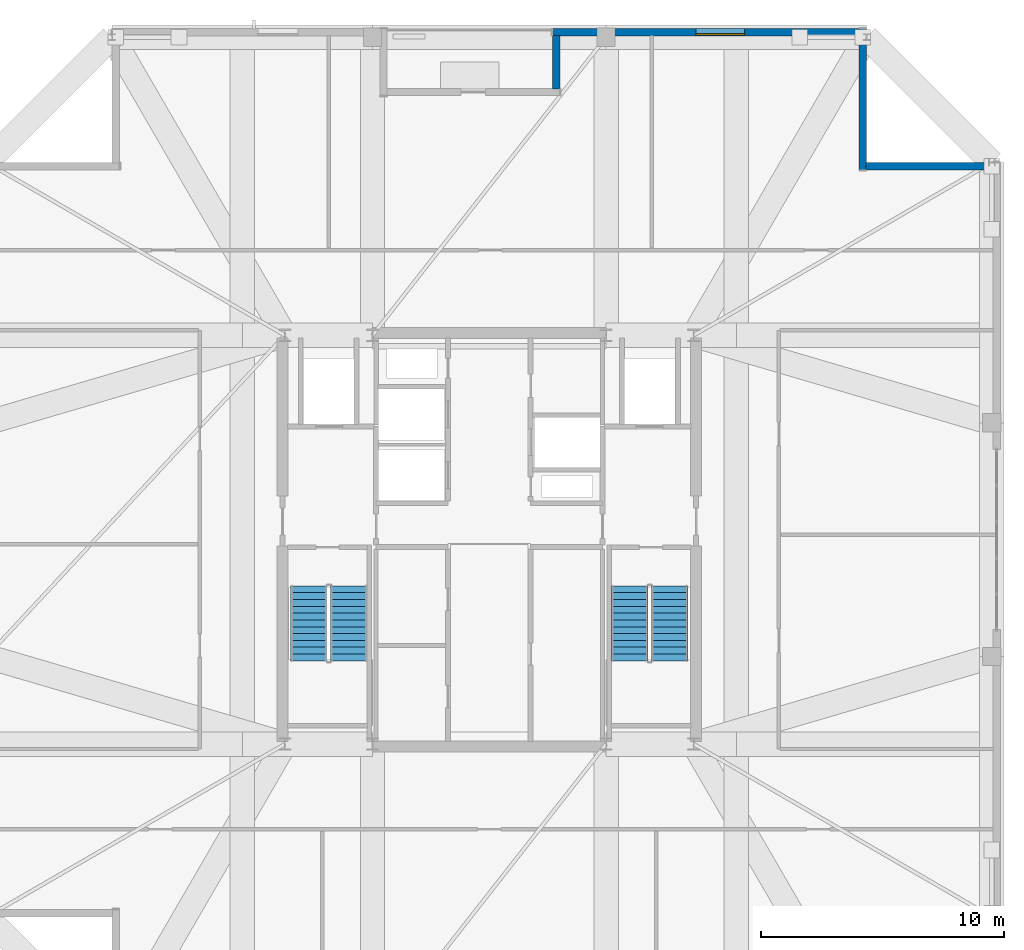
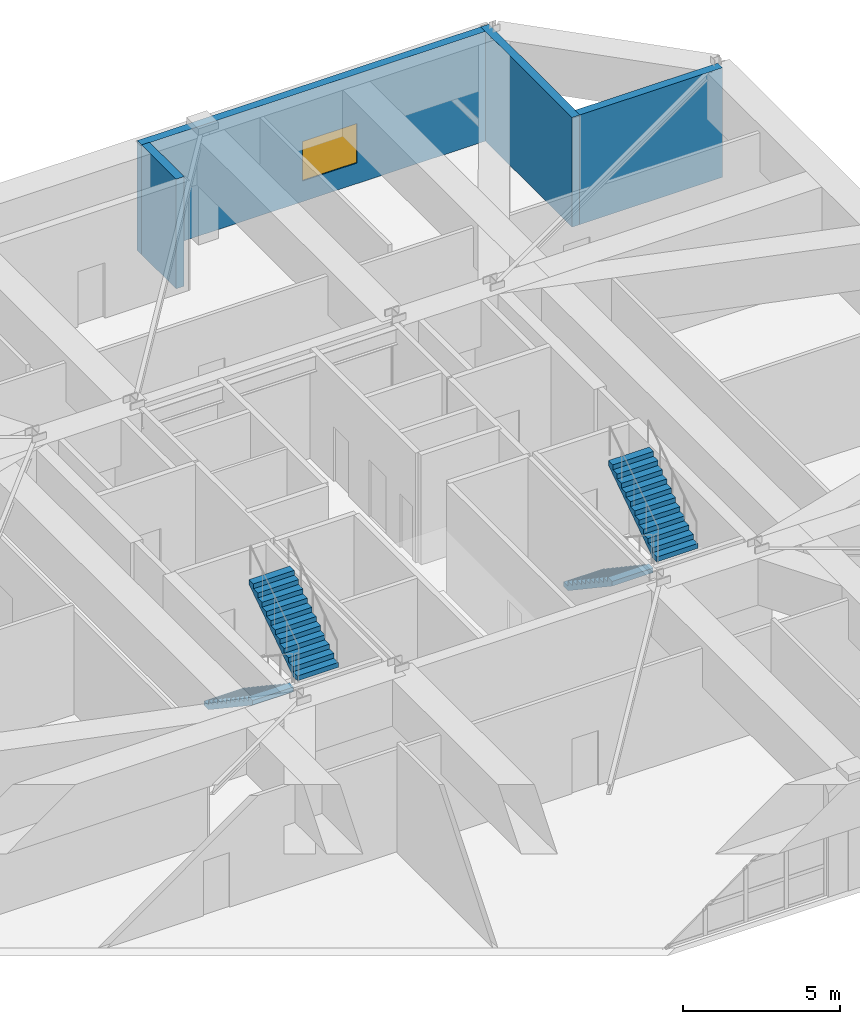
# One storey, part 14 of 17: 4 stair flights, 4 walls, 1 window, 1 opening, 2 elements without a shape of their own.
"""IFC4 building model written with IfcOpenShell, lengths in metres."""

from ifc_helpers import new_model, si_unit, direction, frame, frame_2d, origin, place, context, subcontext, project, spatial, polyline, rectangle, outline, extrude, material, layer, layer_set, type_object, element, fill, aggregate, save


model = new_model("IFC4")

# Units and contexts
model_context = context("Model", 3, precision=1e-05, world=origin(), true_north=direction((0.0, 1.0)))
body_context = subcontext(model_context, "Body", "Model", "MODEL_VIEW")
ifc_project = project(units=[si_unit("LENGTHUNIT", "METRE"), si_unit("AREAUNIT", "SQUARE_METRE"), si_unit("VOLUMEUNIT", "CUBIC_METRE"), si_unit("PLANEANGLEUNIT", "RADIAN"), si_unit("MASSUNIT", "GRAM", prefix="KILO")], contexts=[model_context])

# Site, building, storey
site_placement = place(None, origin())
site = spatial("IfcSite", under=ifc_project, at=site_placement, CompositionType="ELEMENT")
building_placement = place(site_placement, origin())
building = spatial("IfcBuilding", under=site, at=building_placement, Name="Cairnveth Concourse Tower", CompositionType="ELEMENT")
storey_placement = place(building_placement, frame((0.0, 0.0, 320.0)))
storey = spatial("IfcBuildingStorey", under=building, at=storey_placement, Name="L88", CompositionType="ELEMENT", Elevation=320.0)

# Wall, opening, window
ifc_material_1 = material(Name="Hawthorn Red-Ochre Fired Clay Brick Masonry", Category="masonry")
ifc_layer = layer(ifc_material_1, 0.300048828125)
ifc_layer_set = layer_set([ifc_layer], Name="Hawthorn Red-Ochre Fired Clay Brick Masonry")
wall_type = type_object("IfcWallType", Name="ZONE 4 BRICK PIER SPANDREL WALL 300", PredefinedType="SOLIDWALL", material=ifc_layer_set)
wall_1_placement = place(storey_placement, frame((54.60009765625, 59.85009765625, 0.0), z_axis=(0.0, 0.0, 1.0), x_axis=(1.0, 0.0, 0.0)))
wall_1 = element("IfcWall", 1, at=wall_1_placement, inside=storey, type_object=wall_type, Name="Exterior Wall EW-L88-S00", PredefinedType="SOLIDWALL", context=body_context, shape_type="SweptSolid", body=[
    extrude(rectangle(XDim=12.621826171875, YDim=0.300048828125, at=frame_2d((6.31103515625, 0.0))), origin(), (0.0, 0.0, 1.0), 4.25),
])
opening_placement = place(wall_1_placement, frame((5.8916015625, 0.0, 0.800048828125)))
opening = element("IfcOpeningElement", 2, at=opening_placement, cuts=wall_1, Name="Opening W09", PredefinedType="OPENING", context=body_context, shape_type="SweptSolid", body=[
    extrude(rectangle(XDim=2.0, YDim=1.530029296875, at=frame_2d((1.0, 0.76513671875))), frame((0.0, 0.159912109375, 0.0), z_axis=(0.0, -1.0, 0.0), x_axis=(1.0, 0.0, 0.0)), (0.0, 0.0, 1.0), 0.320068359375),
])
ifc_material_2 = material(Name="Double Glazed Low-E Clear Glass", Category="glass")
window_type = type_object("IfcWindowType", Name="DEEP-SET PENTHOUSE LANCET WINDOW 2000X1850", PartitioningType="DOUBLE_PANEL_VERTICAL", PredefinedType="WINDOW", material=ifc_material_2)
window_placement = place(opening_placement, origin())
window = element("IfcWindow", 3, at=window_placement, inside=storey, type_object=window_type, Name="Gothic Lancet Window L88-0-2", OverallHeight=1.530029296875, OverallWidth=2.0, PartitioningType="SINGLE_PANEL", PredefinedType="WINDOW", context=body_context, shape_type="SweptSolid", body=[
    extrude(rectangle(XDim=2.0, YDim=1.530029296875, at=frame_2d((1.0, 0.76513671875))), frame((0.0, -0.050048828125, 0.0), z_axis=(0.0, -1.0, 0.0), x_axis=(1.0, 0.0, 0.0)), (0.0, 0.0, 1.0), 0.06005859375),
])
fill(opening, window)

# Walls
wall_2_placement = place(storey_placement, frame((67.35009765625, 60.0, 0.0), z_axis=(0.0, 0.0, 1.0), x_axis=(0.0, -1.0, 0.0)))
element("IfcWall", 4, at=wall_2_placement, inside=storey, type_object=wall_type, Name="Exterior Wall EW-L88-S01", PredefinedType="SOLIDWALL", context=body_context, shape_type="SweptSolid", body=[
    extrude(rectangle(XDim=5.800048828125, YDim=0.300048828125, at=frame_2d((2.89990234375, 0.0))), origin(), (0.0, 0.0, 1.0), 4.25),
])
wall_3_placement = place(storey_placement, frame((67.47802734375, 54.35009765625, 0.0), z_axis=(0.0, 0.0, 1.0), x_axis=(1.0, 0.0, 0.0)))
element("IfcWall", 5, at=wall_3_placement, inside=storey, type_object=wall_type, Name="Exterior Wall EW-L88-S02", PredefinedType="SOLIDWALL", context=body_context, shape_type="SweptSolid", body=[
    extrude(rectangle(XDim=5.243896484375, YDim=0.300048828125, at=frame_2d((2.6220703125, 0.0))), origin(), (0.0, 0.0, 1.0), 4.25),
])
wall_4_placement = place(storey_placement, frame((54.75, 57.528076171875, 0.0), z_axis=(0.0, 0.0, 1.0), x_axis=(0.0, 1.0, 0.0)))
element("IfcWall", 6, at=wall_4_placement, inside=storey, type_object=wall_type, Name="Exterior Wall EW-L88-S15", PredefinedType="SOLIDWALL", context=body_context, shape_type="SweptSolid", body=[
    extrude(rectangle(XDim=2.19384765625, YDim=0.300048828125, at=frame_2d((1.096923828125, 0.0))), origin(), (0.0, 0.0, 1.0), 4.25),
])

# Stair, stair flights
ifc_material_3 = material(Name="Precast concrete N50 (50 MPa)", Category="concrete")
stair_type = type_object("IfcStairType", Name="CORE DOG-LEG FIRE STAIR 1500", PredefinedType="HALF_TURN_STAIR", material=ifc_material_3)
stair_1_placement = place(storey_placement, origin())
stair_1 = element("IfcStair", 7, at=stair_1_placement, inside=storey, type_object=stair_type, Name="L88 Fire-Isolated Stair ST-1", PredefinedType="HALF_TURN_STAIR")
stair_flight_type = type_object("IfcStairFlightType", Name="PRECAST CONCRETE STAIR FLIGHT 1500", PredefinedType="STRAIGHT", material=ifc_material_3)
stair_flight_1_placement = place(storey_placement, frame((44.590087890625, 37.10009765625, 0.0), z_axis=(0.0, 0.0, 1.0), x_axis=(0.0, -1.0, 0.0)))
stair_flight_1 = element("IfcStairFlight", 8, at=stair_flight_1_placement, type_object=stair_flight_type, Name="ST-1 flight 1", NumberOfRisers=12, NumberOfTreads=11, PredefinedType="STRAIGHT", RiserHeight=0.1875, TreadLength=0.28, context=body_context, shape_type="SweptSolid", body=[
    extrude(outline(polyline([(0.0, 0.0), (0.0, 0.1875), (0.280029296875, 0.1875), (0.280029296875, 0.375), (0.56005859375, 0.375), (0.56005859375, 0.5625), (0.840087890625, 0.5625), (0.840087890625, 0.75), (1.1201171875, 0.75), (1.1201171875, 0.9375), (1.39990234375, 0.9375), (1.39990234375, 1.125), (1.679931640625, 1.125), (1.679931640625, 1.3125), (1.9599609375, 1.3125), (1.9599609375, 1.5), (2.239990234375, 1.5), (2.239990234375, 1.6875), (2.52001953125, 1.6875), (2.52001953125, 1.875), (2.800048828125, 1.875), (2.800048828125, 2.0625), (3.080078125, 2.0625), (3.080078125, 2.25), (3.080078125, 1.882080078125), (0.26953125, 0.0), (0.0, 0.0)])), frame((0.0, 0.75, 0.0), z_axis=(0.0, -1.0, 0.0), x_axis=(1.0, 0.0, 0.0)), (0.0, 0.0, 1.0), 1.5),
])
stair_flight_2_placement = place(storey_placement, frame((46.22998046875, 34.02001953125, 2.25), z_axis=(0.0, 0.0, 1.0), x_axis=(0.0, 1.0, 0.0)))
stair_flight_2 = element("IfcStairFlight", 9, at=stair_flight_2_placement, type_object=stair_flight_type, Name="ST-1 flight 2", NumberOfRisers=12, NumberOfTreads=11, PredefinedType="STRAIGHT", RiserHeight=0.1875, TreadLength=0.28, context=body_context, shape_type="SweptSolid", body=[
    extrude(outline(polyline([(0.0, 0.0), (0.0, 0.1875), (0.280029296875, 0.1875), (0.280029296875, 0.375), (0.56005859375, 0.375), (0.56005859375, 0.5625), (0.840087890625, 0.5625), (0.840087890625, 0.75), (1.1201171875, 0.75), (1.1201171875, 0.9375), (1.39990234375, 0.9375), (1.39990234375, 1.125), (1.679931640625, 1.125), (1.679931640625, 1.3125), (1.9599609375, 1.3125), (1.9599609375, 1.5), (2.239990234375, 1.5), (2.239990234375, 1.6875), (2.52001953125, 1.6875), (2.52001953125, 1.875), (2.800048828125, 1.875), (2.800048828125, 2.0625), (3.080078125, 2.0625), (3.080078125, 2.25), (3.080078125, 1.882080078125), (0.26953125, 0.0), (0.0, 0.0)])), frame((0.0, 0.75, 0.0), z_axis=(0.0, -1.0, 0.0), x_axis=(1.0, 0.0, 0.0)), (0.0, 0.0, 1.0), 1.5),
])
aggregate(stair_1, [stair_flight_1, stair_flight_2])

stair_2_placement = place(storey_placement, origin())
stair_2 = element("IfcStair", 10, at=stair_2_placement, inside=storey, type_object=stair_type, Name="L88 Fire-Isolated Stair ST-2", PredefinedType="HALF_TURN_STAIR")
stair_flight_3_placement = place(storey_placement, frame((57.77001953125, 37.10009765625, 0.0), z_axis=(0.0, 0.0, 1.0), x_axis=(0.0, -1.0, 0.0)))
stair_flight_3 = element("IfcStairFlight", 11, at=stair_flight_3_placement, type_object=stair_flight_type, Name="ST-2 flight 1", NumberOfRisers=12, NumberOfTreads=11, PredefinedType="STRAIGHT", RiserHeight=0.1875, TreadLength=0.28, context=body_context, shape_type="SweptSolid", body=[
    extrude(outline(polyline([(0.0, 0.0), (0.0, 0.1875), (0.280029296875, 0.1875), (0.280029296875, 0.375), (0.56005859375, 0.375), (0.56005859375, 0.5625), (0.840087890625, 0.5625), (0.840087890625, 0.75), (1.1201171875, 0.75), (1.1201171875, 0.9375), (1.39990234375, 0.9375), (1.39990234375, 1.125), (1.679931640625, 1.125), (1.679931640625, 1.3125), (1.9599609375, 1.3125), (1.9599609375, 1.5), (2.239990234375, 1.5), (2.239990234375, 1.6875), (2.52001953125, 1.6875), (2.52001953125, 1.875), (2.800048828125, 1.875), (2.800048828125, 2.0625), (3.080078125, 2.0625), (3.080078125, 2.25), (3.080078125, 1.882080078125), (0.26953125, 0.0), (0.0, 0.0)])), frame((0.0, 0.75, 0.0), z_axis=(0.0, -1.0, 0.0), x_axis=(1.0, 0.0, 0.0)), (0.0, 0.0, 1.0), 1.5),
])
stair_flight_4_placement = place(storey_placement, frame((59.409912109375, 34.02001953125, 2.25), z_axis=(0.0, 0.0, 1.0), x_axis=(0.0, 1.0, 0.0)))
stair_flight_4 = element("IfcStairFlight", 12, at=stair_flight_4_placement, type_object=stair_flight_type, Name="ST-2 flight 2", NumberOfRisers=12, NumberOfTreads=11, PredefinedType="STRAIGHT", RiserHeight=0.1875, TreadLength=0.28, context=body_context, shape_type="SweptSolid", body=[
    extrude(outline(polyline([(0.0, 0.0), (0.0, 0.1875), (0.280029296875, 0.1875), (0.280029296875, 0.375), (0.56005859375, 0.375), (0.56005859375, 0.5625), (0.840087890625, 0.5625), (0.840087890625, 0.75), (1.1201171875, 0.75), (1.1201171875, 0.9375), (1.39990234375, 0.9375), (1.39990234375, 1.125), (1.679931640625, 1.125), (1.679931640625, 1.3125), (1.9599609375, 1.3125), (1.9599609375, 1.5), (2.239990234375, 1.5), (2.239990234375, 1.6875), (2.52001953125, 1.6875), (2.52001953125, 1.875), (2.800048828125, 1.875), (2.800048828125, 2.0625), (3.080078125, 2.0625), (3.080078125, 2.25), (3.080078125, 1.882080078125), (0.26953125, 0.0), (0.0, 0.0)])), frame((0.0, 0.75, 0.0), z_axis=(0.0, -1.0, 0.0), x_axis=(1.0, 0.0, 0.0)), (0.0, 0.0, 1.0), 1.5),
])
aggregate(stair_2, [stair_flight_3, stair_flight_4])

save(model, "model.ifc")
